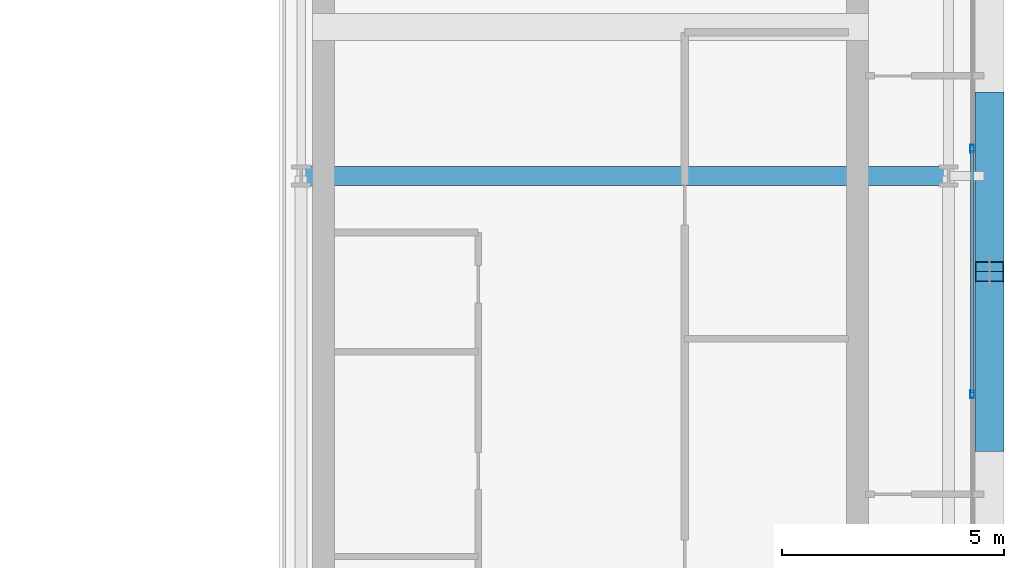
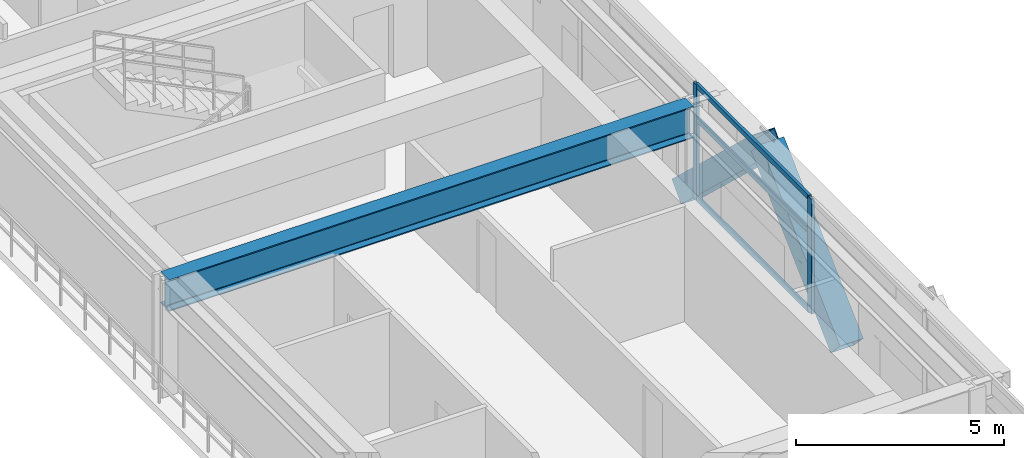
# One storey, part 13 of 31: 7 members, 1 beam, 1 element without a shape of its own.
"""IFC4 building model written with IfcOpenShell, lengths in metres."""

from ifc_helpers import new_model, si_unit, direction, frame, origin, origin_2d, place, context, subcontext, project, spatial, hollow_rectangle, i_section, extrude, source, transform, mapped, material, layer, layer_set, material_profile, profile_set, type_object, element, aggregate, save


model = new_model("IFC4")

# Units and contexts
model_context = context("Model", 3, precision=1e-05, world=origin(), true_north=direction((0.0, 1.0)))
body_context = subcontext(model_context, "Body", "Model", "MODEL_VIEW")
ifc_project = project(units=[si_unit("LENGTHUNIT", "METRE"), si_unit("AREAUNIT", "SQUARE_METRE"), si_unit("VOLUMEUNIT", "CUBIC_METRE"), si_unit("PLANEANGLEUNIT", "RADIAN"), si_unit("MASSUNIT", "GRAM", prefix="KILO")], contexts=[model_context])

# Site, building, storey
site_placement = place(None, origin())
site = spatial("IfcSite", under=ifc_project, at=site_placement, CompositionType="ELEMENT")
building_placement = place(site_placement, origin())
building = spatial("IfcBuilding", under=site, at=building_placement, Name="Ocotamira Hotel", CompositionType="ELEMENT")
storey_placement = place(building_placement, frame((0.0, 0.0, 174.0)))
storey = spatial("IfcBuildingStorey", under=building, at=storey_placement, Name="L43", CompositionType="ELEMENT", Elevation=174.0)

# Beam
ifc_material_1 = material(Name="Steel ASTM A992 Grade 50", Category="steel")
ifc_material_profile_1 = material_profile(ifc_material_1, i_section(OverallWidth=0.41796875, OverallDepth=0.927001953125, WebThickness=0.019287109375, FlangeThickness=0.031982421875, FilletRadius=0.02392578125, at=origin_2d()), Name="W36X231")
ifc_profile_set_1 = profile_set([ifc_material_profile_1], Name="Steel ASTM A992 Grade 50")
beam_type = type_object("IfcBeamType", Name="BM-GIRD-W36X231", PredefinedType="BEAM", material=ifc_profile_set_1)
shared_shape_1 = source(origin(), body_context, "Body", "SweptSolid", [
    extrude(i_section(OverallWidth=0.41796875, OverallDepth=0.927001953125, WebThickness=0.019287109375, FlangeThickness=0.031982421875, FilletRadius=0.02392578125, at=origin_2d()), origin(), (0.0, 0.0, 1.0), 14.550048828125),
])
beam_placement = place(storey_placement, frame((40.5, 28.14990234375, 2.906494140625), z_axis=(1.0, 0.0, 0.0), x_axis=(0.0, 1.0, 0.0)))
element("IfcBeam", 1, at=beam_placement, inside=storey, type_object=beam_type, Name="L43 Girder Y28.15 X40.5-55.05", PredefinedType="BEAM", context=body_context, shape_type="MappedRepresentation", body=[
    mapped(shared_shape_1, transform((0.0, 0.0, 0.0), scale=1.0)),
])

# Members
ifc_material_2 = material(Name="Pale-metal coated steel ASTM A913 Grade 65", Category="steel")
ifc_material_profile_2 = material_profile(ifc_material_2, hollow_rectangle(XDim=0.64990234375, YDim=0.64990234375, WallThickness=0.02197265625, at=origin_2d()), Name="BOX650X650X22")
ifc_profile_set_2 = profile_set([ifc_material_profile_2], Name="Pale-metal coated steel ASTM A913 Grade 65")
member_type_1 = type_object("IfcMemberType", Name="MEM-EXO-BOX650", PredefinedType="BRACE", material=ifc_profile_set_2)
shared_shape_2 = source(origin(), body_context, "Body", "SweptSolid", [
    extrude(hollow_rectangle(XDim=0.64990234375, YDim=0.64990234375, WallThickness=0.02197265625, at=origin_2d()), origin(), (0.0, 0.0, 1.0), 5.24658203125),
])
for number, where, z_axis, x_axis, name in (
    (2, (55.969970703125, 22.183349609375, -0.47998046875), (0.0, 0.727442733726, 0.686168397078), (-1.0, 0.0, 0.0), "L43 Exoskeleton Diagrid E1.1"),
    (3, (55.969970703125, 29.816650390625, -0.47998046875), (0.0, -0.727442733726, 0.686168397078), (1.0, 0.0, 0.0), "L43 Exoskeleton Diagrid E1.2"),
):
    element("IfcMember", number, at=place(storey_placement, frame(where, z_axis=z_axis, x_axis=x_axis)), inside=storey, type_object=member_type_1, Name=name, PredefinedType="BRACE", context=body_context, shape_type="MappedRepresentation", body=[
        mapped(shared_shape_2, transform((0.0, 0.0, 0.0), scale=1.0)),
    ])

# Curtain wall, members
ifc_material_3 = material(Name="Anodised pale-metal aluminium and solar glass", Category="aluminium")
ifc_layer = layer(ifc_material_3, 0.199951171875)
ifc_layer_set = layer_set([ifc_layer], Name="Anodised pale-metal aluminium and solar glass")
curtain_wall_type = type_object("IfcCurtainWallType", Name="CW-SYS4-Z3", PredefinedType="NOTDEFINED", material=ifc_layer_set)
curtain_wall_placement = place(storey_placement, origin())
curtain_wall = element("IfcCurtainWall", 4, at=curtain_wall_placement, inside=storey, type_object=curtain_wall_type, Name="L43 Curtain Wall CW-4 CW-L43-E", PredefinedType="NOTDEFINED")
ifc_material_4 = material(Name="Anodised pale-metal aluminium 6063-T6", Category="aluminium")
ifc_material_profile_3 = material_profile(ifc_material_4, hollow_rectangle(XDim=0.080078125, YDim=0.179931640625, WallThickness=0.006103515625, at=origin_2d()), Name="HSS180X80X6")
ifc_profile_set_3 = profile_set([ifc_material_profile_3], Name="Anodised pale-metal aluminium 6063-T6")
member_type_2 = type_object("IfcMemberType", Name="CWM-180X75", PredefinedType="MULLION", material=ifc_profile_set_3)
shared_shape_3 = source(origin(), body_context, "Body", "SweptSolid", [
    extrude(hollow_rectangle(XDim=0.080078125, YDim=0.179931640625, WallThickness=0.006103515625, at=origin_2d()), origin(), (0.0, 0.0, 1.0), 3.3701171875),
])
member_1_placement = place(storey_placement, frame((55.580078125, 23.239990234375, 0.0), z_axis=(0.0, 0.0, 1.0), x_axis=(-1.0, 0.0, 0.0)))
member_1 = element("IfcMember", 5, at=member_1_placement, type_object=member_type_2, Name="CW-4 mullion 3", PredefinedType="MULLION", context=body_context, shape_type="MappedRepresentation", body=[
    mapped(shared_shape_3, transform((0.0, 0.0, 0.0), scale=1.0)),
])
member_2_placement = place(storey_placement, frame((55.580078125, 28.760009765625, 0.0), z_axis=(0.0, 0.0, 1.0), x_axis=(-1.0, 0.0, 0.0)))
member_2 = element("IfcMember", 6, at=member_2_placement, type_object=member_type_2, Name="CW-4 mullion 4", PredefinedType="MULLION", context=body_context, shape_type="MappedRepresentation", body=[
    mapped(shared_shape_3, transform((0.0, 0.0, 0.0), scale=1.0)),
])
ifc_material_profile_4 = material_profile(ifc_material_4, hollow_rectangle(XDim=0.074951171875, YDim=0.14990234375, WallThickness=0.006103515625, at=origin_2d()), Name="HSS150X75X6")
ifc_profile_set_4 = profile_set([ifc_material_profile_4], Name="Anodised pale-metal aluminium 6063-T6")
member_type_3 = type_object("IfcMemberType", Name="CWT-150X75", PredefinedType="USERDEFINED", material=ifc_profile_set_4)
shared_shape_4 = source(origin(), body_context, "Body", "SweptSolid", [
    extrude(hollow_rectangle(XDim=0.074951171875, YDim=0.14990234375, WallThickness=0.006103515625, at=origin_2d()), origin(), (0.0, 0.0, 1.0), 5.43994140625),
])
member_3_placement = place(storey_placement, frame((55.580078125, 23.280029296875, 0.03759765625), z_axis=(0.0, 1.0, 0.0), x_axis=(-1.0, 0.0, 0.0)))
member_3 = element("IfcMember", 7, at=member_3_placement, type_object=member_type_3, Name="CW-4 transom 3.1", ObjectType="TRANSOM", PredefinedType="USERDEFINED", context=body_context, shape_type="MappedRepresentation", body=[
    mapped(shared_shape_4, transform((0.0, 0.0, 0.0), scale=1.0)),
])
member_4_placement = place(storey_placement, frame((55.580078125, 23.280029296875, 2.35009765625), z_axis=(0.0, 1.0, 0.0), x_axis=(-1.0, 0.0, 0.0)))
member_4 = element("IfcMember", 8, at=member_4_placement, type_object=member_type_3, Name="CW-4 transom 3.2", ObjectType="TRANSOM", PredefinedType="USERDEFINED", context=body_context, shape_type="MappedRepresentation", body=[
    mapped(shared_shape_4, transform((0.0, 0.0, 0.0), scale=1.0)),
])
member_5_placement = place(storey_placement, frame((55.580078125, 23.280029296875, 3.33251953125), z_axis=(0.0, 1.0, 0.0), x_axis=(-1.0, 0.0, 0.0)))
member_5 = element("IfcMember", 9, at=member_5_placement, type_object=member_type_3, Name="CW-4 transom 3.3", ObjectType="TRANSOM", PredefinedType="USERDEFINED", context=body_context, shape_type="MappedRepresentation", body=[
    mapped(shared_shape_4, transform((0.0, 0.0, 0.0), scale=1.0)),
])
aggregate(curtain_wall, [member_1, member_2, member_3, member_4, member_5])

save(model, "model.ifc")
